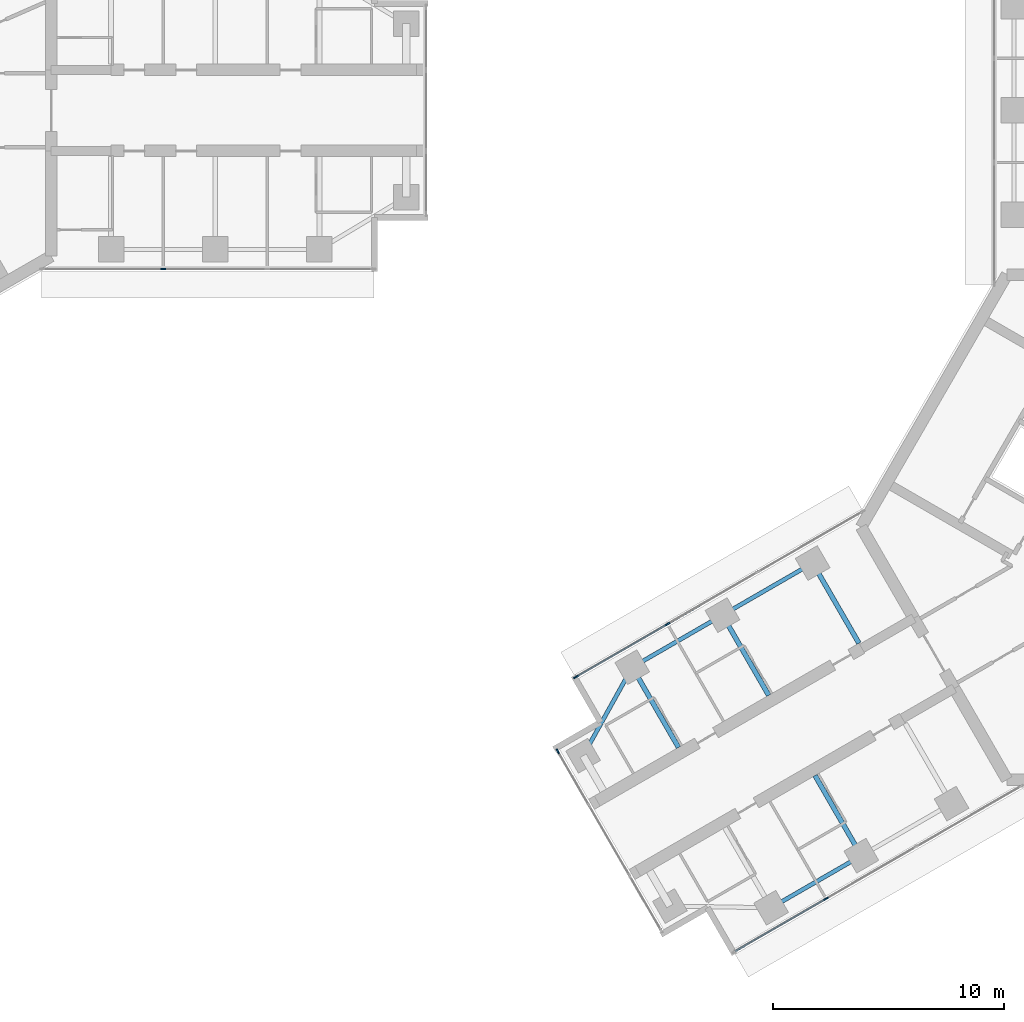
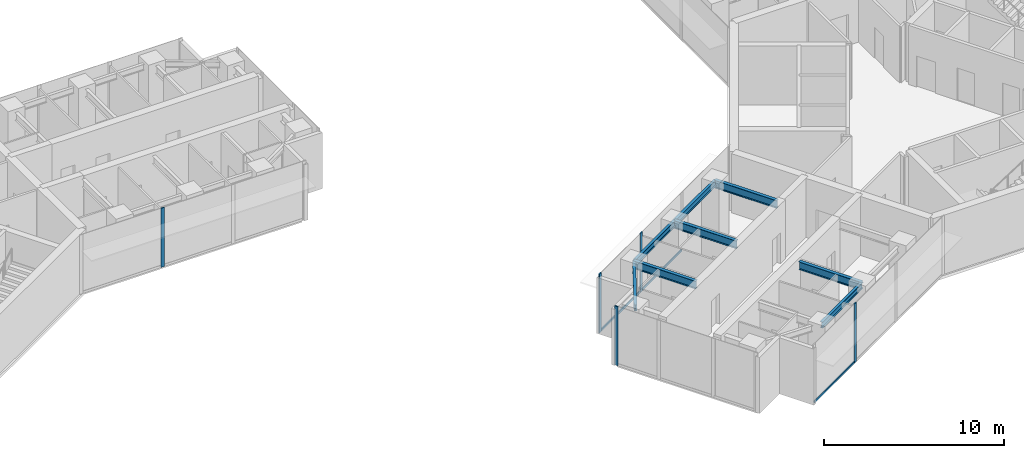
# One storey, part 3 of 18: 8 beams, 8 members, 4 elements without a shape of their own.
"""IFC4 building model written with IfcOpenShell, lengths in metres."""

from ifc_helpers import new_model, si_unit, direction, frame, origin, origin_2d, place, context, subcontext, project, spatial, rectangle, i_section, extrude, material, material_profile, profile_set, type_object, element, aggregate, save


model = new_model("IFC4")

# Units and contexts
model_context = context("Model", 3, precision=1e-05, world=origin(), true_north=direction((0.0, 1.0)))
body_context = subcontext(model_context, "Body", "Model", "MODEL_VIEW")
ifc_project = project(units=[si_unit("LENGTHUNIT", "METRE"), si_unit("AREAUNIT", "SQUARE_METRE"), si_unit("VOLUMEUNIT", "CUBIC_METRE"), si_unit("PLANEANGLEUNIT", "RADIAN"), si_unit("MASSUNIT", "GRAM", prefix="KILO")], contexts=[model_context])

# Site, building, storey
site_placement = place(None, origin())
site = spatial("IfcSite", under=ifc_project, at=site_placement, CompositionType="ELEMENT")
building_placement = place(site_placement, origin())
building = spatial("IfcBuilding", under=site, at=building_placement, Name="Upepo Twin Towers", CompositionType="ELEMENT")
storey_placement = place(building_placement, frame((0.0, 0.0, 226.5)))
storey = spatial("IfcBuildingStorey", under=building, at=storey_placement, Name="L55", CompositionType="ELEMENT", Elevation=226.5)

# Beams
ifc_material_1 = material(Name="Steel S355", Category="steel")
ifc_material_profile_1 = material_profile(ifc_material_1, i_section(OverallWidth=0.177978515625, OverallDepth=0.406494140625, WebThickness=0.0078125, FlangeThickness=0.0126953125, FilletRadius=0.01025390625, at=origin_2d()), Name="UB 406x178x60")
ifc_profile_set_1 = profile_set([ifc_material_profile_1], Name="Steel S355")
beam_type_1 = type_object("IfcBeamType", Name="Beam UB 406x178x60", PredefinedType="BEAM", material=ifc_profile_set_1)
beam_1_placement = place(storey_placement, frame((45.91162109375, -32.196044921875, 3.5966796875), z_axis=(-0.866031096941, -0.499990139034, 0.0), x_axis=(0.499990139034, -0.866031096941, 0.0)))
element("IfcBeam", 1, at=beam_1_placement, inside=storey, type_object=beam_type_1, Name="T2 edge beam BL 18.0-22.5", PredefinedType="BEAM", context=body_context, shape_type="SweptSolid", body=[
    extrude(i_section(OverallWidth=0.177978515625, OverallDepth=0.406494140625, WebThickness=0.0078125, FlangeThickness=0.0126953125, FilletRadius=0.01025390625, at=origin_2d()), origin(), (0.0, 0.0, 1.0), 4.5),
])
beam_2_placement = place(storey_placement, frame((43.80859375, -19.553955078125, 3.5966796875), z_axis=(-0.866017533419, -0.500013631625, 0.0), x_axis=(0.500013631625, -0.866017533419, 0.0)))
element("IfcBeam", 2, at=beam_2_placement, inside=storey, type_object=beam_type_1, Name="T2 edge beam BR 13.5-18.0", PredefinedType="BEAM", context=body_context, shape_type="SweptSolid", body=[
    extrude(i_section(OverallWidth=0.177978515625, OverallDepth=0.406494140625, WebThickness=0.0078125, FlangeThickness=0.0126953125, FilletRadius=0.01025390625, at=origin_2d()), origin(), (0.0, 0.0, 1.0), 4.499755859375),
])
beam_3_placement = place(storey_placement, frame((39.91162109375, -21.803955078125, 3.5966796875), z_axis=(-0.866031096941, -0.499990139034, 0.0), x_axis=(0.499990139034, -0.866031096941, 0.0)))
element("IfcBeam", 3, at=beam_3_placement, inside=storey, type_object=beam_type_1, Name="T2 edge beam BR 18.0-22.5", PredefinedType="BEAM", context=body_context, shape_type="SweptSolid", body=[
    extrude(i_section(OverallWidth=0.177978515625, OverallDepth=0.406494140625, WebThickness=0.0078125, FlangeThickness=0.0126953125, FilletRadius=0.01025390625, at=origin_2d()), origin(), (0.0, 0.0, 1.0), 4.5),
])
beam_4_placement = place(storey_placement, frame((36.014404296875, -24.053955078125, 3.5966796875), z_axis=(-0.485363242752, -0.874312600038, 0.0), x_axis=(0.874312600038, -0.485363242752, 0.0)))
element("IfcBeam", 4, at=beam_4_placement, inside=storey, type_object=beam_type_1, Name="T2 nose edge beam BR", PredefinedType="BEAM", context=body_context, shape_type="SweptSolid", body=[
    extrude(i_section(OverallWidth=0.177978515625, OverallDepth=0.406494140625, WebThickness=0.0078125, FlangeThickness=0.0126953125, FilletRadius=0.01025390625, at=origin_2d()), origin(), (0.0, 0.0, 1.0), 4.373046875),
])
ifc_material_2 = material(Name="Steel S355", Category="steel")
ifc_material_profile_2 = material_profile(ifc_material_2, i_section(OverallWidth=0.209228515625, OverallDepth=0.533203125, WebThickness=0.010009765625, FlangeThickness=0.015625, FilletRadius=0.0126953125, at=origin_2d()), Name="UB 533x210x92")
ifc_profile_set_2 = profile_set([ifc_material_profile_2], Name="Steel S355")
beam_type_2 = type_object("IfcBeamType", Name="Beam UB 533x210x92", PredefinedType="BEAM", material=ifc_profile_set_2)
for number, where, z_axis, x_axis, name in (
    (5, (45.91162109375, -32.196044921875, 3.533447265625), (-0.49999894854, 0.866026010844, 0.0), (-0.866026010844, -0.49999894854, 0.0), "T2 girder BL at 18.0"),
    (6, (43.80859375, -19.553955078125, 3.533447265625), (0.49999894854, -0.866026010844, 0.0), (0.866026010844, 0.49999894854, 0.0), "T2 girder BR at 13.5"),
    (7, (39.91162109375, -21.803955078125, 3.533447265625), (0.49999894854, -0.866026010844, 0.0), (0.866026010844, 0.49999894854, 0.0), "T2 girder BR at 18.0"),
    (8, (36.014404296875, -24.053955078125, 3.533447265625), (0.49999894854, -0.866026010844, 0.0), (0.866026010844, 0.49999894854, 0.0), "T2 girder BR at 22.5"),
):
    element("IfcBeam", number, at=place(storey_placement, frame(where, z_axis=z_axis, x_axis=x_axis)), inside=storey, type_object=beam_type_2, Name=name, PredefinedType="BEAM", context=body_context, shape_type="SweptSolid", body=[
        extrude(i_section(OverallWidth=0.209228515625, OverallDepth=0.533203125, WebThickness=0.010009765625, FlangeThickness=0.015625, FilletRadius=0.0126953125, at=origin_2d()), origin(), (0.0, 0.0, 1.0), 4.0),
    ])

# Curtain wall, member
ifc_material_3 = material(Name="Aluminium and fritted glass", Category="aluminium")
curtain_wall_type = type_object("IfcCurtainWallType", Name="Tower curtain wall TW3, fritted glass", PredefinedType="NOTDEFINED", material=ifc_material_3)
curtain_wall_1_placement = place(storey_placement, origin())
curtain_wall_1 = element("IfcCurtainWall", 9, at=curtain_wall_1_placement, inside=storey, type_object=curtain_wall_type, Name="T1 L55 wing A flank R curtain wall", PredefinedType="NOTDEFINED")
ifc_material_4 = material(Name="Aluminium mullion", Category="aluminium")
ifc_material_profile_3 = material_profile(ifc_material_4, rectangle(XDim=0.06494140625, YDim=0.22509765625, at=origin_2d()), Name="MULLION 65x225")
ifc_profile_set_3 = profile_set([ifc_material_profile_3], Name="Aluminium mullion")
member_type_1 = type_object("IfcMemberType", Name="Mullion 65x225 TW3", PredefinedType="MULLION", material=ifc_profile_set_3)
member_1_placement = place(storey_placement, frame((15.75, -6.85009765625, 0.0), z_axis=(0.0, 0.0, 1.0), x_axis=(0.0, -1.0, 0.0)))
member_1 = element("IfcMember", 10, at=member_1_placement, type_object=member_type_1, Name="T1 L55 wing A flank R curtain wall mullion 3", PredefinedType="MULLION", context=body_context, shape_type="SweptSolid", body=[
    extrude(rectangle(XDim=0.06494140625, YDim=0.22509765625, at=origin_2d()), origin(), (0.0, 0.0, 1.0), 4.0),
])
aggregate(curtain_wall_1, [member_1])

curtain_wall_2_placement = place(storey_placement, origin())
curtain_wall_2 = element("IfcCurtainWall", 11, at=curtain_wall_2_placement, inside=storey, type_object=curtain_wall_type, Name="T2 L55 wing B flank L curtain wall", PredefinedType="NOTDEFINED")
member_2_placement = place(storey_placement, frame((44.387939453125, -34.057373046875, 0.0), z_axis=(0.0, 0.0, 1.0), x_axis=(0.500000026527, -0.866025388469, 0.0)))
member_2 = element("IfcMember", 12, at=member_2_placement, type_object=member_type_1, Name="T2 L55 wing B flank L curtain wall mullion 3", PredefinedType="MULLION", context=body_context, shape_type="SweptSolid", body=[
    extrude(rectangle(XDim=0.06494140625, YDim=0.22509765625, at=origin_2d()), origin(), (0.0, 0.0, 1.0), 4.0),
])

# Curtain wall, members
curtain_wall_3_placement = place(storey_placement, origin())
curtain_wall_3 = element("IfcCurtainWall", 13, at=curtain_wall_3_placement, inside=storey, type_object=curtain_wall_type, Name="T2 L55 wing B flank R curtain wall", PredefinedType="NOTDEFINED")
member_3_placement = place(storey_placement, frame((33.58251953125, -24.4765625, 0.0), z_axis=(0.0, 0.0, 1.0), x_axis=(-0.500000026527, 0.866025388469, 0.0)))
member_3 = element("IfcMember", 14, at=member_3_placement, type_object=member_type_1, Name="T2 L55 wing B flank R curtain wall mullion 1", PredefinedType="MULLION", context=body_context, shape_type="SweptSolid", body=[
    extrude(rectangle(XDim=0.06494140625, YDim=0.22509765625, at=origin_2d()), origin(), (0.0, 0.0, 1.0), 4.0),
])
member_4_placement = place(storey_placement, frame((37.5380859375, -22.192626953125, 0.0), z_axis=(0.0, 0.0, 1.0), x_axis=(-0.500000026527, 0.866025388469, 0.0)))
member_4 = element("IfcMember", 15, at=member_4_placement, type_object=member_type_1, Name="T2 L55 wing B flank R curtain wall mullion 2", PredefinedType="MULLION", context=body_context, shape_type="SweptSolid", body=[
    extrude(rectangle(XDim=0.06494140625, YDim=0.22509765625, at=origin_2d()), origin(), (0.0, 0.0, 1.0), 4.0),
])

# Curtain wall, member
curtain_wall_4_placement = place(storey_placement, origin())
curtain_wall_4 = element("IfcCurtainWall", 16, at=curtain_wall_4_placement, inside=storey, type_object=curtain_wall_type, Name="T2 L55 wing B nose curtain wall", PredefinedType="NOTDEFINED")
member_5_placement = place(storey_placement, frame((32.796875, -27.68115234375, 0.0), z_axis=(0.0, 0.0, 1.0), x_axis=(0.866025386174, 0.500000030502, 0.0)))
member_5 = element("IfcMember", 17, at=member_5_placement, type_object=member_type_1, Name="T2 L55 wing B nose curtain wall mullion 1", PredefinedType="MULLION", context=body_context, shape_type="SweptSolid", body=[
    extrude(rectangle(XDim=0.06494140625, YDim=0.22509765625, at=origin_2d()), origin(), (0.0, 0.0, 1.0), 4.0),
])
aggregate(curtain_wall_4, [member_5])

# Member
ifc_material_5 = material(Name="Aluminium transom", Category="aluminium")
ifc_material_profile_4 = material_profile(ifc_material_5, rectangle(XDim=0.06494140625, YDim=0.14990234375, at=origin_2d()), Name="TRANSOM 65x150")
ifc_profile_set_4 = profile_set([ifc_material_profile_4], Name="Aluminium transom")
member_type_2 = type_object("IfcMemberType", Name="Transom 65x150 TW3", PredefinedType="USERDEFINED", material=ifc_profile_set_4)
member_6_placement = place(storey_placement, frame((44.35986328125, -34.073486328125, 0.074951171875), z_axis=(-0.866035699072, -0.499982167615, 0.0), x_axis=(0.499982167615, -0.866035699072, 0.0)))
member_6 = element("IfcMember", 18, at=member_6_placement, type_object=member_type_2, Name="T2 L55 wing B flank L curtain wall transom 3", ObjectType="TRANSOM", PredefinedType="USERDEFINED", context=body_context, shape_type="SweptSolid", body=[
    extrude(rectangle(XDim=0.06494140625, YDim=0.14990234375, at=origin_2d()), origin(), (0.0, 0.0, 1.0), 4.502685546875),
])

aggregate(curtain_wall_2, [member_2, member_6])

member_7_placement = place(storey_placement, frame((33.610595703125, -24.460205078125, 0.074951171875), z_axis=(0.866022143554, 0.500005646842, 0.0), x_axis=(-0.500005646842, 0.866022143554, 0.0)))
member_7 = element("IfcMember", 19, at=member_7_placement, type_object=member_type_2, Name="T2 L55 wing B flank R curtain wall transom 1", ObjectType="TRANSOM", PredefinedType="USERDEFINED", context=body_context, shape_type="SweptSolid", body=[
    extrude(rectangle(XDim=0.06494140625, YDim=0.14990234375, at=origin_2d()), origin(), (0.0, 0.0, 1.0), 4.50244140625),
])

member_8_placement = place(storey_placement, frame((37.566162109375, -22.176513671875, 0.074951171875), z_axis=(0.866022410713, 0.500005184116, 0.0), x_axis=(-0.500005184116, 0.866022410713, 0.0)))
member_8 = element("IfcMember", 20, at=member_8_placement, type_object=member_type_2, Name="T2 L55 wing B flank R curtain wall transom 2", ObjectType="TRANSOM", PredefinedType="USERDEFINED", context=body_context, shape_type="SweptSolid", body=[
    extrude(rectangle(XDim=0.06494140625, YDim=0.14990234375, at=origin_2d()), origin(), (0.0, 0.0, 1.0), 4.43505859375),
])

aggregate(curtain_wall_3, [member_3, member_4, member_7, member_8])

save(model, "model.ifc")
